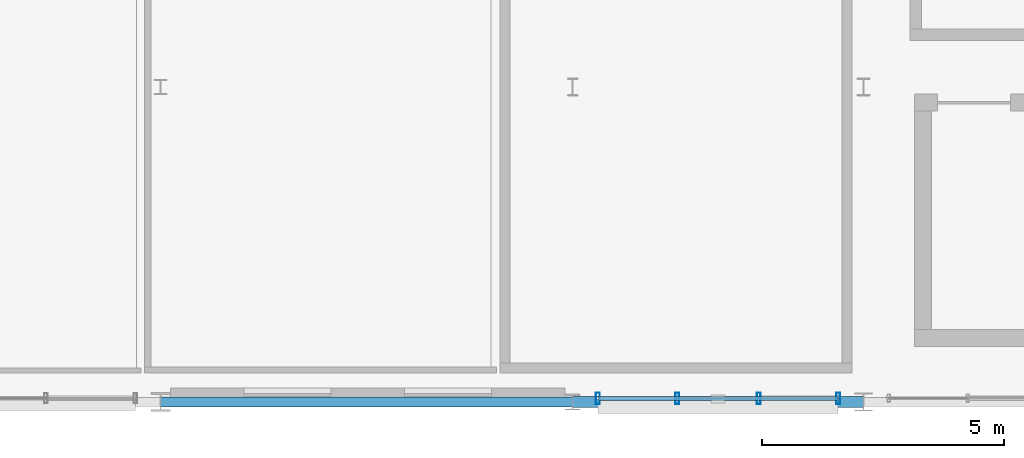
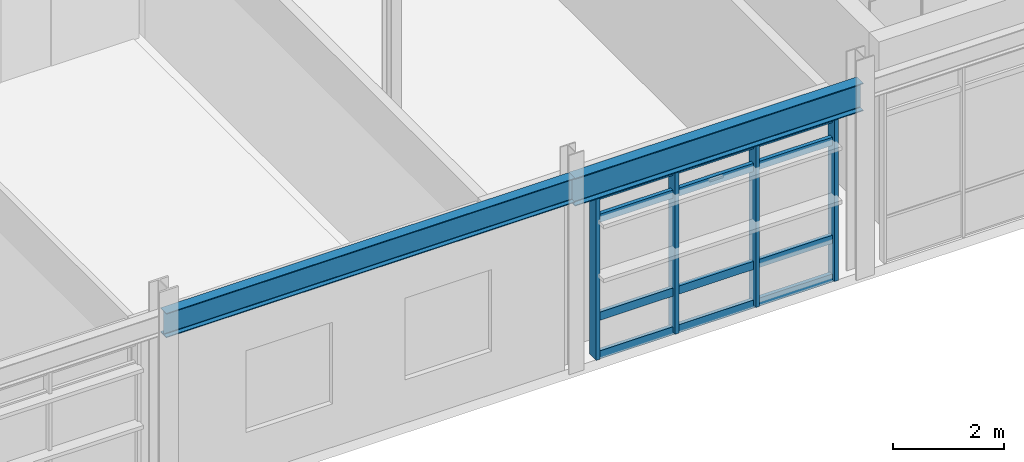
# One storey, part 18 of 56: 8 members, 2 beams, 1 element without a shape of its own.
"""IFC4 building model written with IfcOpenShell, lengths in metres."""

from ifc_helpers import new_model, si_unit, direction, frame, origin, origin_2d, place, context, subcontext, project, spatial, hollow_rectangle, i_section, extrude, material, material_profile, profile_set, type_object, element, aggregate, save


model = new_model("IFC4")

# Units and contexts
model_context = context("Model", 3, precision=1e-05, world=origin(), true_north=direction((0.0, 1.0)))
body_context = subcontext(model_context, "Body", "Model", "MODEL_VIEW")
ifc_project = project(units=[si_unit("LENGTHUNIT", "METRE"), si_unit("AREAUNIT", "SQUARE_METRE"), si_unit("VOLUMEUNIT", "CUBIC_METRE"), si_unit("PLANEANGLEUNIT", "RADIAN"), si_unit("MASSUNIT", "GRAM", prefix="KILO"), si_unit("THERMODYNAMICTEMPERATUREUNIT", "KELVIN"), si_unit("POWERUNIT", "WATT")], contexts=[model_context])

# Site, building, storey
site_placement = place(None, origin())
site = spatial("IfcSite", under=ifc_project, at=site_placement, CompositionType="ELEMENT")
building_placement = place(site_placement, origin())
building = spatial("IfcBuilding", under=site, at=building_placement, Name="Tepalcoro Natatorium and Aquatics Centre", CompositionType="ELEMENT")
storey_placement = place(building_placement, frame((0.0, 0.0, 14.800048828125)))
storey = spatial("IfcBuildingStorey", under=building, at=storey_placement, Name="L03", CompositionType="ELEMENT", Elevation=14.800048828125)

# Curtain wall, members
ifc_material_1 = material(Name="Bronze-Anodised Extruded Aluminium Alloy EN AW-6063 T6", Category="aluminium")
curtain_wall_type = type_object("IfcCurtainWallType", Name="CW_V4_VILLAGE", PredefinedType="USERDEFINED", material=ifc_material_1)
curtain_wall_placement = place(storey_placement, origin())
curtain_wall = element("IfcCurtainWall", 1, at=curtain_wall_placement, inside=storey, type_object=curtain_wall_type, Name="V2 L03 S Unitised Curtain Wall Bay 3", ObjectType="UNITISED STOREFRONT", PredefinedType="USERDEFINED")
ifc_material_profile_1 = material_profile(ifc_material_1, hollow_rectangle(XDim=0.080078125, YDim=0.239990234375, WallThickness=0.0048828125, at=origin_2d()), Name="AL80X240X5")
ifc_profile_set_1 = profile_set([ifc_material_profile_1], Name="Bronze-Anodised Extruded Aluminium Alloy EN AW-6063 T6")
member_type_1 = type_object("IfcMemberType", Name="CW_MUL_80x240", PredefinedType="MULLION", material=ifc_profile_set_1)
member_1_placement = place(storey_placement, frame((159.52001953125, 6.576171875, 0.02001953125), z_axis=(0.0, 0.0, 1.0), x_axis=(1.0, 0.0, 0.0)))
member_1 = element("IfcMember", 2, at=member_1_placement, type_object=member_type_1, Name="CW_V4_VILLAGE Curtain Wall Mullion", PredefinedType="MULLION", context=body_context, shape_type="SweptSolid", body=[
    extrude(hollow_rectangle(XDim=0.080078125, YDim=0.239990234375, WallThickness=0.0048828125, at=origin_2d()), origin(), (0.0, 0.0, 1.0), 3.56787109375),
])
member_2_placement = place(storey_placement, frame((161.159912109375, 6.576171875, 0.02001953125), z_axis=(0.0, 0.0, 1.0), x_axis=(1.0, 0.0, 0.0)))
member_2 = element("IfcMember", 3, at=member_2_placement, type_object=member_type_1, Name="CW_V4_VILLAGE Curtain Wall Mullion", PredefinedType="MULLION", context=body_context, shape_type="SweptSolid", body=[
    extrude(hollow_rectangle(XDim=0.080078125, YDim=0.239990234375, WallThickness=0.0048828125, at=origin_2d()), origin(), (0.0, 0.0, 1.0), 3.56787109375),
])
member_3_placement = place(storey_placement, frame((162.840087890625, 6.576171875, 0.02001953125), z_axis=(0.0, 0.0, 1.0), x_axis=(1.0, 0.0, 0.0)))
member_3 = element("IfcMember", 4, at=member_3_placement, type_object=member_type_1, Name="CW_V4_VILLAGE Curtain Wall Mullion", PredefinedType="MULLION", context=body_context, shape_type="SweptSolid", body=[
    extrude(hollow_rectangle(XDim=0.080078125, YDim=0.239990234375, WallThickness=0.0048828125, at=origin_2d()), origin(), (0.0, 0.0, 1.0), 3.56787109375),
])
member_4_placement = place(storey_placement, frame((164.47998046875, 6.576171875, 0.02001953125), z_axis=(0.0, 0.0, 1.0), x_axis=(1.0, 0.0, 0.0)))
member_4 = element("IfcMember", 5, at=member_4_placement, type_object=member_type_1, Name="CW_V4_VILLAGE Curtain Wall Mullion", PredefinedType="MULLION", context=body_context, shape_type="SweptSolid", body=[
    extrude(hollow_rectangle(XDim=0.080078125, YDim=0.239990234375, WallThickness=0.0048828125, at=origin_2d()), origin(), (0.0, 0.0, 1.0), 3.56787109375),
])
ifc_material_profile_2 = material_profile(ifc_material_1, hollow_rectangle(XDim=0.080078125, YDim=0.179931640625, WallThickness=0.0048828125, at=origin_2d()), Name="AL80X180X5")
ifc_profile_set_2 = profile_set([ifc_material_profile_2], Name="Bronze-Anodised Extruded Aluminium Alloy EN AW-6063 T6")
member_type_2 = type_object("IfcMemberType", Name="CW_TRN_80x180", PredefinedType="USERDEFINED", material=ifc_profile_set_2)
member_5_placement = place(storey_placement, frame((159.530029296875, 6.576171875, 0.050048828125), z_axis=(1.0, 0.0, 0.0), x_axis=(0.0, 1.0, 0.0)))
member_5 = element("IfcMember", 6, at=member_5_placement, type_object=member_type_2, Name="CW_V4_VILLAGE Curtain Wall Transom", ObjectType="TRANSOM", PredefinedType="USERDEFINED", context=body_context, shape_type="SweptSolid", body=[
    extrude(hollow_rectangle(XDim=0.080078125, YDim=0.179931640625, WallThickness=0.0048828125, at=origin_2d()), origin(), (0.0, 0.0, 1.0), 4.93994140625),
])
member_6_placement = place(storey_placement, frame((159.530029296875, 6.576171875, 0.90185546875), z_axis=(1.0, 0.0, 0.0), x_axis=(0.0, 1.0, 0.0)))
member_6 = element("IfcMember", 7, at=member_6_placement, type_object=member_type_2, Name="CW_V4_VILLAGE Curtain Wall Transom", ObjectType="TRANSOM", PredefinedType="USERDEFINED", context=body_context, shape_type="SweptSolid", body=[
    extrude(hollow_rectangle(XDim=0.080078125, YDim=0.179931640625, WallThickness=0.0048828125, at=origin_2d()), origin(), (0.0, 0.0, 1.0), 4.93994140625),
])
member_7_placement = place(storey_placement, frame((159.530029296875, 6.576171875, 3.057861328125), z_axis=(1.0, 0.0, 0.0), x_axis=(0.0, 1.0, 0.0)))
member_7 = element("IfcMember", 8, at=member_7_placement, type_object=member_type_2, Name="CW_V4_VILLAGE Curtain Wall Transom", ObjectType="TRANSOM", PredefinedType="USERDEFINED", context=body_context, shape_type="SweptSolid", body=[
    extrude(hollow_rectangle(XDim=0.080078125, YDim=0.179931640625, WallThickness=0.0048828125, at=origin_2d()), origin(), (0.0, 0.0, 1.0), 4.93994140625),
])
member_8_placement = place(storey_placement, frame((159.530029296875, 6.576171875, 3.557861328125), z_axis=(1.0, 0.0, 0.0), x_axis=(0.0, 1.0, 0.0)))
member_8 = element("IfcMember", 9, at=member_8_placement, type_object=member_type_2, Name="CW_V4_VILLAGE Curtain Wall Transom", ObjectType="TRANSOM", PredefinedType="USERDEFINED", context=body_context, shape_type="SweptSolid", body=[
    extrude(hollow_rectangle(XDim=0.080078125, YDim=0.179931640625, WallThickness=0.0048828125, at=origin_2d()), origin(), (0.0, 0.0, 1.0), 4.93994140625),
])
aggregate(curtain_wall, [member_1, member_2, member_3, member_4, member_5, member_6, member_7, member_8])

# Beams
ifc_material_2 = material(Name="Steel ASTM A992 Grade 50 (Fy 345 MPa)", Category="steel")
ifc_material_profile_3 = material_profile(ifc_material_2, i_section(OverallWidth=0.2099609375, OverallDepth=0.535888671875, WebThickness=0.010986328125, FlangeThickness=0.01708984375, FilletRadius=0.013916015625, at=origin_2d()), Name="W21X68")
ifc_profile_set_3 = profile_set([ifc_material_profile_3], Name="Steel ASTM A992 Grade 50 (Fy 345 MPa)")
beam_type_1 = type_object("IfcBeamType", Name="SP_W21x68", PredefinedType="SPANDREL", material=ifc_profile_set_3)
beam_1_placement = place(storey_placement, frame((150.5, 6.5, 3.967041015625), z_axis=(1.0, 0.0, 0.0), x_axis=(0.0, 1.0, 0.0)))
element("IfcBeam", 10, at=beam_1_placement, inside=storey, type_object=beam_type_1, Name="V2 L03 Grid Girder X", PredefinedType="SPANDREL", context=body_context, shape_type="SweptSolid", body=[
    extrude(i_section(OverallWidth=0.2099609375, OverallDepth=0.535888671875, WebThickness=0.010986328125, FlangeThickness=0.01708984375, FilletRadius=0.013916015625, at=origin_2d()), origin(), (0.0, 0.0, 1.0), 8.5),
])
ifc_material_profile_4 = material_profile(ifc_material_2, i_section(OverallWidth=0.22900390625, OverallDepth=0.612060546875, WebThickness=0.011962890625, FlangeThickness=0.02001953125, FilletRadius=0.013916015625, at=origin_2d()), Name="W24X84")
ifc_profile_set_4 = profile_set([ifc_material_profile_4], Name="Steel ASTM A992 Grade 50 (Fy 345 MPa)")
beam_type_2 = type_object("IfcBeamType", Name="SP_W24x84", PredefinedType="SPANDREL", material=ifc_profile_set_4)
beam_2_placement = place(storey_placement, frame((159.0, 6.5, 3.928955078125), z_axis=(1.0, 0.0, 0.0), x_axis=(0.0, 1.0, 0.0)))
element("IfcBeam", 11, at=beam_2_placement, inside=storey, type_object=beam_type_2, Name="V2 L03 Grid Girder X", PredefinedType="SPANDREL", context=body_context, shape_type="SweptSolid", body=[
    extrude(i_section(OverallWidth=0.22900390625, OverallDepth=0.612060546875, WebThickness=0.011962890625, FlangeThickness=0.02001953125, FilletRadius=0.013916015625, at=origin_2d()), origin(), (0.0, 0.0, 1.0), 6.0),
])

save(model, "model.ifc")
